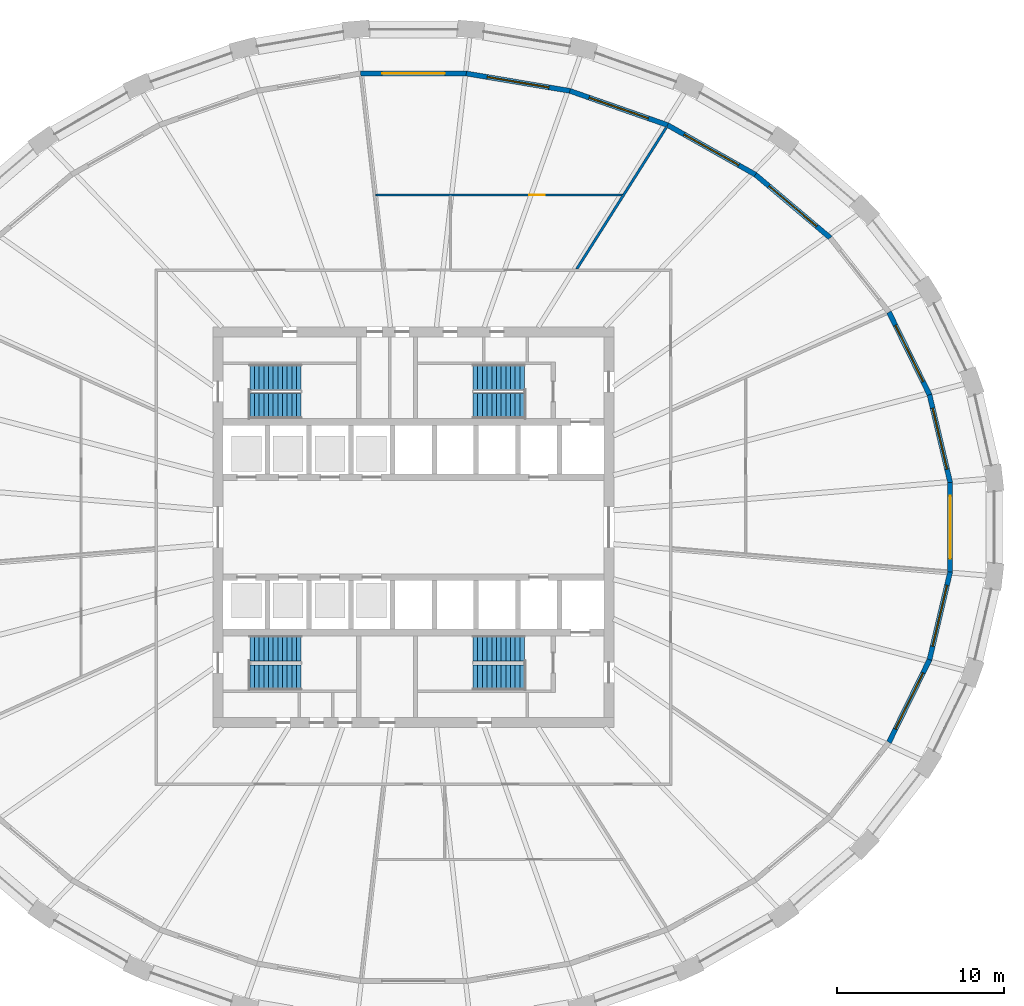
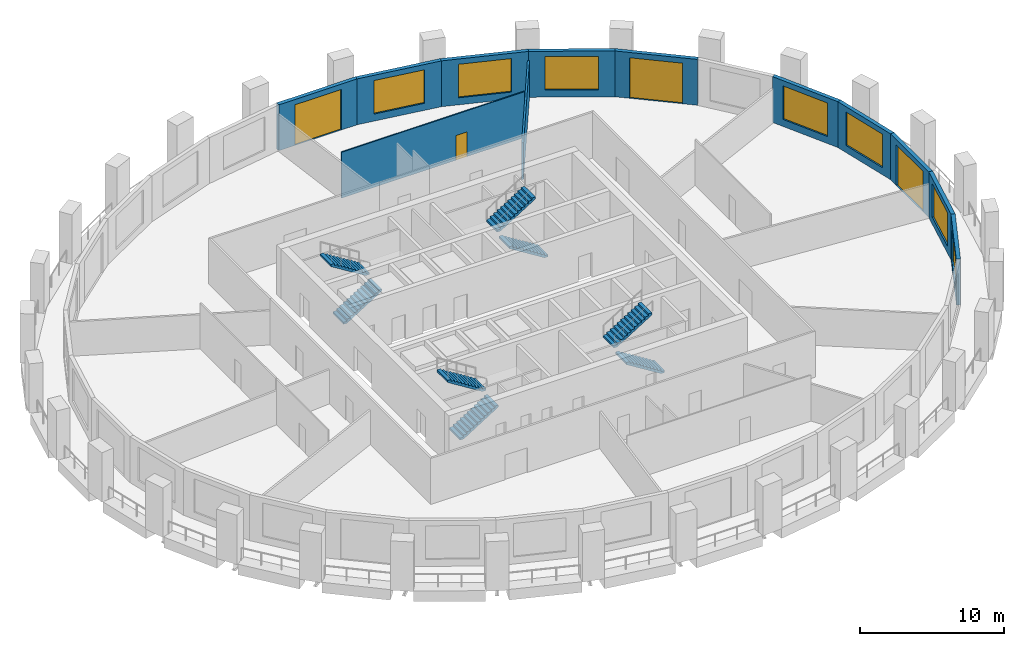
# One storey, part 7 of 10: 12 walls, 8 stair flights, 7 windows, 4 doors, 11 openings, 4 elements without a shape of their own.
"""IFC4 building model written with IfcOpenShell, lengths in metres."""

import ifcopenshell
import ifcopenshell.guid

model = None  # the IFC model being written
_history = None  # IfcOwnerHistory: only IFC2X3 demands one
_inside = {}  # id of a spatial element -> (the spatial element, [elements in it])
_under = {}  # id of a project, library or spatial element -> (it, [spatial elements below it])
_declared = {}  # id of a project -> (the project, [libraries it declares])
_typed = {}  # id of a type object -> (the type object, [elements of that type])
_made_of = {}  # id of a material, layer set ... -> (it, [elements and type objects made of it])


def new_model(schema):
    """Start an empty IFC model of exactly this schema.

    Asked for "IFC4X3", IfcOpenShell would pick the latest addendum, in which some entities
    have other attributes; the version numbers below select the first issue.
    IFC2X3 requires an IfcOwnerHistory on every rooted entity: one is made here for all.
    """
    global model, _history
    if schema == "IFC4X3":
        model = ifcopenshell.file(schema_version=(4, 3, 0, 0))
    else:
        model = ifcopenshell.file(schema=schema)
    _inside.clear()
    _under.clear()
    _declared.clear()
    _typed.clear()
    _made_of.clear()
    _history = None
    if model.schema == "IFC2X3":
        org = make("IfcOrganization", Name="unknown")
        user = make(
            "IfcPersonAndOrganization",
            ThePerson=make("IfcPerson", FamilyName="unknown"),
            TheOrganization=org,
        )
        app = make(
            "IfcApplication",
            ApplicationDeveloper=org,
            Version="unknown",
            ApplicationFullName="unknown",
            ApplicationIdentifier="unknown",
        )
        _history = make(
            "IfcOwnerHistory",
            OwningUser=user,
            OwningApplication=app,
            ChangeAction="ADDED",
            CreationDate=0,
        )
    return model


def make(cls, **values):
    """One entity of the class cls with the attributes given. An attribute that is None is left unset."""
    return model.create_entity(
        cls, **{name: value for name, value in values.items() if value is not None}
    )


def rooted(cls, **values):
    """An entity with a GlobalId (a new one), such as an element, a storey or a relation."""
    return make(cls, GlobalId=ifcopenshell.guid.new(), OwnerHistory=_history, **values)


def si_unit(unit_type, name, prefix=None):
    """IfcSIUnit, for example si_unit("LENGTHUNIT", "METRE", prefix="MILLI")."""
    return make("IfcSIUnit", UnitType=unit_type, Prefix=prefix, Name=name)


def assignment(units):
    """IfcUnitAssignment: the units of a project."""
    return None if units is None else make("IfcUnitAssignment", Units=units)


def point(xyz):
    """IfcCartesianPoint."""
    return None if xyz is None else make("IfcCartesianPoint", Coordinates=xyz)


def direction(xyz):
    """IfcDirection."""
    return None if xyz is None else make("IfcDirection", DirectionRatios=xyz)


def frame(location, z_axis=None, x_axis=None):
    """IfcAxis2Placement3D, a coordinate frame: its origin and axes. An axis left out is left unset."""
    return make(
        "IfcAxis2Placement3D",
        Location=point(location),
        Axis=direction(z_axis),
        RefDirection=direction(x_axis),
    )


def frame_2d(location, x_axis=None):
    """IfcAxis2Placement2D, a coordinate frame in the plane: its origin and x axis."""
    return make(
        "IfcAxis2Placement2D", Location=point(location), RefDirection=direction(x_axis)
    )


def origin():
    """The frame at (0, 0, 0) with its axes left unset."""
    return frame((0.0, 0.0, 0.0))


def place(relative_to, where):
    """IfcLocalPlacement: puts the frame where relative to a parent placement (None: the world)."""
    return make(
        "IfcLocalPlacement", PlacementRelTo=relative_to, RelativePlacement=where
    )


def context(
    kind, dimensions, precision=None, world=None, true_north=None, identifier=None
):
    """IfcGeometricRepresentationContext, for example the 3D "Model" context."""
    return make(
        "IfcGeometricRepresentationContext",
        ContextIdentifier=identifier,
        ContextType=kind,
        CoordinateSpaceDimension=dimensions,
        Precision=precision,
        WorldCoordinateSystem=world,
        TrueNorth=true_north,
    )


def subcontext(parent, identifier, kind, view, scale=None):
    """IfcGeometricRepresentationSubContext, for example "Body" below "Model"."""
    return make(
        "IfcGeometricRepresentationSubContext",
        ContextIdentifier=identifier,
        ContextType=kind,
        ParentContext=parent,
        TargetScale=scale,
        TargetView=view,
    )


def project(units=None, contexts=None):
    """IfcProject with its units and contexts."""
    return rooted(
        "IfcProject",
        Name="project",
        RepresentationContexts=contexts,
        UnitsInContext=assignment(units),
    )


def spatial(cls, under=None, at=None, **own):
    """A site, building, storey or space (cls), placed at a placement, below another one or the project."""
    s = rooted(cls, ObjectPlacement=at, **own)
    if under is not None:
        _under.setdefault(under.id(), (under, []))[1].append(s)
    return s


def polyline(points):
    """IfcPolyline through the points."""
    return make("IfcPolyline", Points=[point(p) for p in points])


def profile(cls, at=None, kind="AREA", **sizes):
    """A parametric profile (cls). Its sizes go by their IFC names, for example OverallWidth=200.0."""
    return make(cls, ProfileType=kind, Position=at, **sizes)


def rectangle(**sizes):
    """IfcRectangleProfileDef."""
    return profile("IfcRectangleProfileDef", **sizes)


def outline(outer, holes=None, kind="AREA"):
    """IfcArbitraryClosedProfileDef: a profile drawn as a closed curve; with holes, ...WithVoids."""
    if holes is None:
        return make("IfcArbitraryClosedProfileDef", ProfileType=kind, OuterCurve=outer)
    return make(
        "IfcArbitraryProfileDefWithVoids",
        ProfileType=kind,
        OuterCurve=outer,
        InnerCurves=holes,
    )


def extrude(swept, where, along, depth):
    """IfcExtrudedAreaSolid: the profile swept, set in the frame where, extruded along a direction by depth."""
    return make(
        "IfcExtrudedAreaSolid",
        SweptArea=swept,
        Position=where,
        ExtrudedDirection=direction(along),
        Depth=depth,
    )


def shape(context_of_items, identifier, shape_type, items):
    """IfcShapeRepresentation: the items that make up one representation, for example the "Body"."""
    return make(
        "IfcShapeRepresentation",
        ContextOfItems=context_of_items,
        RepresentationIdentifier=identifier,
        RepresentationType=shape_type,
        Items=items,
    )


def material(Name=None, Category=None):
    """IfcMaterial."""
    return make("IfcMaterial", Name=Name, Category=Category)


def layer(
    of_material, thickness, ventilated=None, Name=None, Category=None, Priority=None
):
    """IfcMaterialLayer: one layer of a wall or slab, of a material (None: an air gap)."""
    return make(
        "IfcMaterialLayer",
        Material=of_material,
        LayerThickness=thickness,
        IsVentilated=ventilated,
        Name=Name,
        Category=Category,
        Priority=Priority,
    )


def layer_set(layers, Name=None):
    """IfcMaterialLayerSet."""
    return make("IfcMaterialLayerSet", MaterialLayers=layers, LayerSetName=Name)


def made_of(thing, what):
    """Note that an element or type object is made of a material, layer set ...; save() writes the relation."""
    if what is not None:
        _made_of.setdefault(what.id(), (what, []))[1].append(thing)
    return thing


def type_object(cls, material=None, **own):
    """A type object (cls), such as IfcWallType, which elements share."""
    return made_of(rooted(cls, **own), material)


def element(
    cls,
    number,
    at=None,
    inside=None,
    cuts=None,
    type_object=None,
    material=None,
    context=None,
    identifier="Body",
    shape_type=None,
    held_by="IfcProductDefinitionShape",
    body=None,
    shapes=None,
    **own,
):
    """One element of the class cls, such as IfcWall. Its Tag is "e" and its number.

    at: its placement. inside: the storey or other place that contains it. cuts: it is an
    opening in that element (IfcRelVoidsElement). A single representation is given by context,
    identifier, shape_type and body (its items); several are given by shapes. held_by: the class
    of the entity that holds the representations. save() writes the other relations.
    """
    e = rooted(cls, Tag="e%d" % number, ObjectPlacement=at, **own)
    if body is not None:
        shapes = [shape(context, identifier, shape_type, body)]
    if shapes is not None:
        e.Representation = make(held_by, Representations=shapes)
    if inside is not None:
        _inside.setdefault(inside.id(), (inside, []))[1].append(e)
    if cuts is not None:
        rooted(
            "IfcRelVoidsElement", RelatingBuildingElement=cuts, RelatedOpeningElement=e
        )
    if type_object is not None:
        _typed.setdefault(type_object.id(), (type_object, []))[1].append(e)
    return made_of(e, material)


def fill(opening, filler):
    """IfcRelFillsElement: the door or window that sits in an opening."""
    return rooted(
        "IfcRelFillsElement",
        RelatingOpeningElement=opening,
        RelatedBuildingElement=filler,
    )


def aggregate(whole, parts):
    """IfcRelAggregates: a whole, such as a stair, and the parts it consists of."""
    return rooted("IfcRelAggregates", RelatingObject=whole, RelatedObjects=parts)


def save(model, path):
    """Write the relations noted so far, then the file.

    IfcRelAggregates (storeys below a building ...), IfcRelContainedInSpatialStructure (elements
    in a storey), IfcRelDefinesByType, IfcRelAssociatesMaterial and IfcRelDeclares: one each for
    every whole, place, type object, material and project.
    """
    for whole, parts in _under.values():
        aggregate(whole, parts)
    for where, things in _inside.values():
        rooted(
            "IfcRelContainedInSpatialStructure",
            RelatedElements=things,
            RelatingStructure=where,
        )
    for kind, things in _typed.values():
        rooted("IfcRelDefinesByType", RelatedObjects=things, RelatingType=kind)
    for what, things in _made_of.values():
        rooted("IfcRelAssociatesMaterial", RelatedObjects=things, RelatingMaterial=what)
    for by, libraries in _declared.values():
        rooted("IfcRelDeclares", RelatingContext=by, RelatedDefinitions=libraries)
    model.write(path)


model = new_model("IFC4")

# Units and contexts
model_context = context("Model", 3, precision=1e-05, world=origin(), true_north=direction((0.0, 1.0)))
body_context = subcontext(model_context, "Body", "Model", "MODEL_VIEW")
ifc_project = project(units=[si_unit("LENGTHUNIT", "METRE"), si_unit("AREAUNIT", "SQUARE_METRE"), si_unit("VOLUMEUNIT", "CUBIC_METRE"), si_unit("PLANEANGLEUNIT", "RADIAN"), si_unit("MASSUNIT", "GRAM", prefix="KILO")], contexts=[model_context])

# Site, building, storey
site_placement = place(None, origin())
site = spatial("IfcSite", under=ifc_project, at=site_placement, CompositionType="ELEMENT")
building_placement = place(site_placement, origin())
building = spatial("IfcBuilding", under=site, at=building_placement, Name="Halqa Exchange Tower", CompositionType="ELEMENT")
storey_placement = place(building_placement, frame((0.0, 0.0, 117.10009765625)))
storey = spatial("IfcBuildingStorey", under=building, at=storey_placement, Name="L26", CompositionType="ELEMENT", Elevation=117.10009765625)

# Wall
ifc_material_1 = material(Name="Fire-rated gypsum board")
ifc_layer_1 = layer(ifc_material_1, 0.14990234375)
ifc_layer_set_1 = layer_set([ifc_layer_1], Name="Fire-rated gypsum board")
wall_type_1 = type_object("IfcWallType", Name="Fire partition EI 60 150", PredefinedType="PARTITIONING", material=ifc_layer_set_1)
wall_1_placement = place(storey_placement, frame((9.76220703125, 15.43505859375, 0.0), z_axis=(0.0, 0.0, 1.0), x_axis=(0.534830284385, 0.844959506074, 0.0)))
element("IfcWall", 1, at=wall_1_placement, inside=storey, type_object=wall_type_1, Name="L26-PWL-019", PredefinedType="PARTITIONING", context=body_context, shape_type="SweptSolid", body=[
    extrude(outline(polyline([(10.056884765625, 0.074951171875), (8.4697265625, 0.074951171875), (6.882568359375, 0.074951171875), (5.29541015625, 0.074951171875), (5.211181640625, 0.021728515625), (5.177490234375, 0.074951171875), (3.45166015625, 0.074951171875), (1.725830078125, 0.074951171875), (0.0, 0.074951171875), (0.0, 0.07470703125), (0.0947265625, -0.074951171875), (2.087158203125, -0.074951171875), (4.07958984375, -0.074951171875), (6.072021484375, -0.074951171875), (8.064453125, -0.074951171875), (10.056884765625, -0.074951171875), (10.056884765625, 0.074951171875)])), origin(), (0.0, 0.0, 1.0), 3.14697265625),
])

# Wall, opening, door
ifc_material_2 = material(Name="Gypsum board")
ifc_layer_2 = layer(ifc_material_2, 0.10009765625)
ifc_layer_set_2 = layer_set([ifc_layer_2], Name="Gypsum board")
wall_type_2 = type_object("IfcWallType", Name="Partition 100 gypsum", PredefinedType="PARTITIONING", material=ifc_layer_set_2)
wall_2_placement = place(storey_placement, frame((-2.2548828125, 19.89990234375, 0.0), z_axis=(0.0, 0.0, 1.0), x_axis=(1.0, 0.0, 0.0)))
wall_2 = element("IfcWall", 2, at=wall_2_placement, inside=storey, type_object=wall_type_2, Name="L26-PWL-013", PredefinedType="PARTITIONING", context=body_context, shape_type="SweptSolid", body=[
    extrude(outline(polyline([(0.011474609375, -0.050048828125), (1.479248046875, -0.050048828125), (2.947021484375, -0.050048828125), (4.414794921875, -0.050048828125), (4.414794921875, -0.0498046875), (4.514892578125, -0.0498046875), (4.514892578125, -0.050048828125), (6.21630859375, -0.050048828125), (7.91748046875, -0.050048828125), (9.618896484375, -0.050048828125), (11.320068359375, -0.050048828125), (13.021484375, -0.050048828125), (14.72265625, -0.050048828125), (14.77490234375, 0.032470703125), (14.77490234375, 0.0322265625), (14.785888671875, 0.0498046875), (14.785888671875, 0.050048828125), (12.937744140625, 0.050048828125), (11.08935546875, 0.050048828125), (9.2412109375, 0.050048828125), (7.39306640625, 0.050048828125), (5.544677734375, 0.050048828125), (3.696533203125, 0.050048828125), (1.84814453125, 0.050048828125), (0.0, 0.050048828125), (0.0, 0.048095703125), (0.011474609375, -0.050048828125)])), origin(), (0.0, 0.0, 1.0), 3.89990234375),
])
opening_1_placement = place(wall_2_placement, frame((9.205078125, 0.0, 0.0)))
opening_1 = element("IfcOpeningElement", 3, at=opening_1_placement, cuts=wall_2, Name="Opening 08-14", PredefinedType="OPENING", context=body_context, shape_type="SweptSolid", body=[
    extrude(rectangle(XDim=0.89990234375, YDim=2.10009765625, at=frame_2d((0.449951171875, 1.050048828125))), frame((0.0, 0.06201171875, 0.0), z_axis=(0.0, -1.0, 0.0), x_axis=(1.0, 0.0, 0.0)), (0.0, 0.0, 1.0), 0.1240234375),
])
ifc_material_3 = material(Name="Timber door leaf", Category="wood")
door_type_1 = type_object("IfcDoorType", Name="Door 900 x 2100", OperationType="SINGLE_SWING_LEFT", PredefinedType="DOOR", material=ifc_material_3)
door_1_placement = place(opening_1_placement, frame((0.89990234375, 0.0, 0.0), z_axis=(0.0, 0.0, 1.0), x_axis=(-1.0, 0.0, 0.0)))
door_1 = element("IfcDoor", 4, at=door_1_placement, inside=storey, type_object=door_type_1, Name="L26-IDR-014", OperationType="SINGLE_SWING_RIGHT", OverallHeight=2.10009765625, OverallWidth=0.89990234375, PredefinedType="DOOR", context=body_context, shape_type="SweptSolid", body=[
    extrude(rectangle(XDim=0.89990234375, YDim=2.10009765625, at=frame_2d((0.449951171875, 1.050048828125))), frame((0.0, 0.02490234375, 0.0), z_axis=(0.0, -1.0, 0.0), x_axis=(1.0, 0.0, 0.0)), (0.0, 0.0, 1.0), 0.050048828125),
])
fill(opening_1, door_1)

# Wall, opening, window
ifc_material_4 = material(Name="Limestone cladding", Category="masonry")
ifc_layer_3 = layer(ifc_material_4, 0.0400390625)
ifc_material_5 = material(Name="Ventilated cavity")
ifc_layer_4 = layer(ifc_material_5, 0.030029296875, ventilated=True)
ifc_material_6 = material(Name="Mineral wool insulation")
ifc_layer_5 = layer(ifc_material_6, 0.10009765625)
ifc_material_7 = material(Name="Concrete C30/37", Category="concrete")
ifc_layer_6 = layer(ifc_material_7, 0.10009765625)
ifc_material_8 = material(Name="Internal plaster")
ifc_layer_7 = layer(ifc_material_8, 0.030029296875)
ifc_layer_set_3 = layer_set([ifc_layer_3, ifc_layer_4, ifc_layer_5, ifc_layer_6, ifc_layer_7], Name="Stone-faced insulated wall 300")
wall_type_3 = type_object("IfcWallType", Name="Stone-faced insulated wall 300", PredefinedType="STANDARD", material=ifc_layer_set_3)
wall_3_placement = place(storey_placement, frame((32.142578125, 2.678955078125, 0.0), z_axis=(0.0, 0.0, 1.0), x_axis=(-0.229200658045, 0.973379195561, 0.0)))
wall_3 = element("IfcWall", 5, at=wall_3_placement, inside=storey, type_object=wall_type_3, Name="Glass-line wall 1", PredefinedType="STANDARD", context=body_context, shape_type="SweptSolid", body=[
    extrude(outline(polyline([(-0.017333984375, -0.14990234375), (5.415283203125, -0.14990234375), (5.381591796875, 0.14990234375), (0.017333984375, 0.14990234375), (-0.017333984375, -0.14990234375)])), origin(), (0.0, 0.0, 1.0), 3.89990234375),
])
opening_2_placement = place(wall_3_placement, frame((0.82421875, 0.0, 0.60009765625)))
opening_2 = element("IfcOpeningElement", 6, at=opening_2_placement, cuts=wall_3, Name="Opening W-F2-01", PredefinedType="OPENING", context=body_context, shape_type="SweptSolid", body=[
    extrude(rectangle(XDim=3.75, YDim=2.85009765625, at=frame_2d((1.875, 1.425048828125))), frame((0.0, 0.162109375, 0.0), z_axis=(0.0, -1.0, 0.0), x_axis=(1.0, 0.0, 0.0)), (0.0, 0.0, 1.0), 0.323974609375),
])
ifc_material_9 = material(Name="Clear low-emissivity glass in aluminium frame", Category="aluminium")
window_type = type_object("IfcWindowType", Name="Fixed clear glazed window 3750 x 2850", PartitioningType="TRIPLE_PANEL_VERTICAL", PredefinedType="WINDOW", material=ifc_material_9)
window_1_placement = place(opening_2_placement, origin())
window_1 = element("IfcWindow", 7, at=window_1_placement, inside=storey, type_object=window_type, Name="Window 2", OverallHeight=2.85009765625, OverallWidth=3.75, PartitioningType="TRIPLE_PANEL_VERTICAL", PredefinedType="WINDOW", context=body_context, shape_type="SweptSolid", body=[
    extrude(rectangle(XDim=3.75, YDim=2.85009765625, at=frame_2d((1.875, 1.425048828125))), frame((0.0, 0.030029296875, 0.0), z_axis=(0.0, -1.0, 0.0), x_axis=(1.0, 0.0, 0.0)), (0.0, 0.0, 1.0), 0.06005859375),
])
fill(opening_2, window_1)

wall_4_placement = place(storey_placement, frame((30.9052734375, 7.93359375, 0.0), z_axis=(0.0, 0.0, 1.0), x_axis=(-0.440306401535, 0.897847577692, 0.0)))
wall_4 = element("IfcWall", 8, at=wall_4_placement, inside=storey, type_object=wall_type_3, Name="Glass-line wall 2", PredefinedType="STANDARD", context=body_context, shape_type="SweptSolid", body=[
    extrude(outline(polyline([(-0.016845703125, -0.14990234375), (5.526611328125, -0.14990234375), (5.494384765625, 0.14990234375), (0.016845703125, 0.14990234375), (-0.016845703125, -0.14990234375)])), origin(), (0.0, 0.0, 1.0), 3.89990234375),
])
opening_3_placement = place(wall_4_placement, frame((0.880126953125, 0.0, 0.60009765625)))
opening_3 = element("IfcOpeningElement", 9, at=opening_3_placement, cuts=wall_4, Name="Opening W-F2-02", PredefinedType="OPENING", context=body_context, shape_type="SweptSolid", body=[
    extrude(rectangle(XDim=3.75, YDim=2.85009765625, at=frame_2d((1.875, 1.425048828125))), frame((0.0, 0.162109375, 0.0), z_axis=(0.0, -1.0, 0.0), x_axis=(1.0, 0.0, 0.0)), (0.0, 0.0, 1.0), 0.323974609375),
])
window_2_placement = place(opening_3_placement, origin())
window_2 = element("IfcWindow", 10, at=window_2_placement, inside=storey, type_object=window_type, Name="Window 2", OverallHeight=2.85009765625, OverallWidth=3.75, PartitioningType="TRIPLE_PANEL_VERTICAL", PredefinedType="WINDOW", context=body_context, shape_type="SweptSolid", body=[
    extrude(rectangle(XDim=3.75, YDim=2.85009765625, at=frame_2d((1.875, 1.425048828125))), frame((0.0, 0.030029296875, 0.0), z_axis=(0.0, -1.0, 0.0), x_axis=(1.0, 0.0, 0.0)), (0.0, 0.0, 1.0), 0.06005859375),
])
fill(opening_3, window_2)

# Wall, opening, door
wall_5_placement = place(storey_placement, frame((24.95849609375, 17.331787109375, 0.0), z_axis=(0.0, 0.0, 1.0), x_axis=(-0.763937302001, 0.645290476151, 0.0)))
wall_5 = element("IfcWall", 11, at=wall_5_placement, inside=storey, type_object=wall_type_3, Name="Glass-line wall 4", PredefinedType="STANDARD", context=body_context, shape_type="SweptSolid", body=[
    extrude(outline(polyline([(-0.01513671875, -0.14990234375), (5.87646484375, -0.14990234375), (5.84814453125, 0.14990234375), (0.01513671875, 0.14990234375), (-0.01513671875, -0.14990234375)])), origin(), (0.0, 0.0, 1.0), 3.89990234375),
])
opening_4_placement = place(wall_5_placement, frame((1.05615234375, 0.0, 0.0)))
opening_4 = element("IfcOpeningElement", 12, at=opening_4_placement, cuts=wall_5, Name="Opening LG-F2-01", PredefinedType="OPENING", context=body_context, shape_type="SweptSolid", body=[
    extrude(rectangle(XDim=3.75, YDim=3.449951171875, at=frame_2d((1.875, 1.72509765625))), frame((0.0, 0.162109375, 0.0), z_axis=(0.0, -1.0, 0.0), x_axis=(1.0, 0.0, 0.0)), (0.0, 0.0, 1.0), 0.323974609375),
])
door_type_2 = type_object("IfcDoorType", Name="Glazed sliding loggia door 3750 x 3450", OperationType="DOUBLE_DOOR_SLIDING", PredefinedType="DOOR", material=ifc_material_9)
door_2_placement = place(opening_4_placement, origin())
door_2 = element("IfcDoor", 13, at=door_2_placement, inside=storey, type_object=door_type_2, Name="Loggia door 1", OperationType="DOUBLE_DOOR_SLIDING", OverallHeight=3.449951171875, OverallWidth=3.75, PredefinedType="DOOR", context=body_context, shape_type="SweptSolid", body=[
    extrude(rectangle(XDim=3.75, YDim=3.449951171875, at=frame_2d((1.875, 1.72509765625))), frame((0.0, 0.02490234375, 0.0), z_axis=(0.0, -1.0, 0.0), x_axis=(1.0, 0.0, 0.0)), (0.0, 0.0, 1.0), 0.050048828125),
])
fill(opening_4, door_2)

# Wall, opening, window
wall_6_placement = place(storey_placement, frame((20.47998046875, 21.11474609375, 0.0), z_axis=(0.0, 0.0, 1.0), x_axis=(-0.870858332497, 0.491534093142, 0.0)))
wall_6 = element("IfcWall", 14, at=wall_6_placement, inside=storey, type_object=wall_type_3, Name="Glass-line wall 5", PredefinedType="STANDARD", context=body_context, shape_type="SweptSolid", body=[
    extrude(outline(polyline([(-0.01416015625, -0.14990234375), (6.0576171875, -0.14990234375), (6.03076171875, 0.14990234375), (0.01416015625, 0.14990234375), (-0.01416015625, -0.14990234375)])), origin(), (0.0, 0.0, 1.0), 3.89990234375),
])
opening_5_placement = place(wall_6_placement, frame((1.147216796875, 0.0, 0.60009765625)))
opening_5 = element("IfcOpeningElement", 15, at=opening_5_placement, cuts=wall_6, Name="Opening W-F2-05", PredefinedType="OPENING", context=body_context, shape_type="SweptSolid", body=[
    extrude(rectangle(XDim=3.75, YDim=2.85009765625, at=frame_2d((1.875, 1.425048828125))), frame((0.0, 0.162109375, 0.0), z_axis=(0.0, -1.0, 0.0), x_axis=(1.0, 0.0, 0.0)), (0.0, 0.0, 1.0), 0.323974609375),
])
window_3_placement = place(opening_5_placement, origin())
window_3 = element("IfcWindow", 16, at=window_3_placement, inside=storey, type_object=window_type, Name="Window 2", OverallHeight=2.85009765625, OverallWidth=3.75, PartitioningType="TRIPLE_PANEL_VERTICAL", PredefinedType="WINDOW", context=body_context, shape_type="SweptSolid", body=[
    extrude(rectangle(XDim=3.75, YDim=2.85009765625, at=frame_2d((1.875, 1.425048828125))), frame((0.0, 0.030029296875, 0.0), z_axis=(0.0, -1.0, 0.0), x_axis=(1.0, 0.0, 0.0)), (0.0, 0.0, 1.0), 0.06005859375),
])
fill(opening_5, window_3)

wall_7_placement = place(storey_placement, frame((15.21630859375, 24.085693359375, 0.0), z_axis=(0.0, 0.0, 1.0), x_axis=(-0.94389706045, 0.330239820849, 0.0)))
wall_7 = element("IfcWall", 17, at=wall_7_placement, inside=storey, type_object=wall_type_3, Name="Glass-line wall 6", PredefinedType="STANDARD", context=body_context, shape_type="SweptSolid", body=[
    extrude(outline(polyline([(-0.013427734375, -0.14990234375), (6.20703125, -0.14990234375), (6.181640625, 0.14990234375), (0.013427734375, 0.14990234375), (-0.013427734375, -0.14990234375)])), origin(), (0.0, 0.0, 1.0), 3.89990234375),
])
opening_6_placement = place(wall_7_placement, frame((1.22216796875, 0.0, 0.60009765625)))
opening_6 = element("IfcOpeningElement", 18, at=opening_6_placement, cuts=wall_7, Name="Opening W-F2-06", PredefinedType="OPENING", context=body_context, shape_type="SweptSolid", body=[
    extrude(rectangle(XDim=3.75, YDim=2.85009765625, at=frame_2d((1.875, 1.425048828125))), frame((0.0, 0.162109375, 0.0), z_axis=(0.0, -1.0, 0.0), x_axis=(1.0, 0.0, 0.0)), (0.0, 0.0, 1.0), 0.323974609375),
])
window_4_placement = place(opening_6_placement, origin())
window_4 = element("IfcWindow", 19, at=window_4_placement, inside=storey, type_object=window_type, Name="Window 2", OverallHeight=2.85009765625, OverallWidth=3.75, PartitioningType="TRIPLE_PANEL_VERTICAL", PredefinedType="WINDOW", context=body_context, shape_type="SweptSolid", body=[
    extrude(rectangle(XDim=3.75, YDim=2.85009765625, at=frame_2d((1.875, 1.425048828125))), frame((0.0, 0.030029296875, 0.0), z_axis=(0.0, -1.0, 0.0), x_axis=(1.0, 0.0, 0.0)), (0.0, 0.0, 1.0), 0.06005859375),
])
fill(opening_6, window_4)

wall_8_placement = place(storey_placement, frame((9.369384765625, 26.13134765625, 0.0), z_axis=(0.0, 0.0, 1.0), x_axis=(-0.986176011722, 0.165701158427, 0.0)))
wall_8 = element("IfcWall", 20, at=wall_8_placement, inside=storey, type_object=wall_type_3, Name="Glass-line wall 7", PredefinedType="STANDARD", context=body_context, shape_type="SweptSolid", body=[
    extrude(outline(polyline([(-0.0126953125, -0.14990234375), (6.30517578125, -0.14990234375), (6.2802734375, 0.14990234375), (0.0126953125, 0.14990234375), (-0.0126953125, -0.14990234375)])), origin(), (0.0, 0.0, 1.0), 3.89990234375),
])
opening_7_placement = place(wall_8_placement, frame((1.271484375, 0.0, 0.60009765625)))
opening_7 = element("IfcOpeningElement", 21, at=opening_7_placement, cuts=wall_8, Name="Opening W-F2-07", PredefinedType="OPENING", context=body_context, shape_type="SweptSolid", body=[
    extrude(rectangle(XDim=3.75, YDim=2.85009765625, at=frame_2d((1.875, 1.425048828125))), frame((0.0, 0.162109375, 0.0), z_axis=(0.0, -1.0, 0.0), x_axis=(1.0, 0.0, 0.0)), (0.0, 0.0, 1.0), 0.323974609375),
])
window_5_placement = place(opening_7_placement, origin())
window_5 = element("IfcWindow", 22, at=window_5_placement, inside=storey, type_object=window_type, Name="Window 2", OverallHeight=2.85009765625, OverallWidth=3.75, PartitioningType="TRIPLE_PANEL_VERTICAL", PredefinedType="WINDOW", context=body_context, shape_type="SweptSolid", body=[
    extrude(rectangle(XDim=3.75, YDim=2.85009765625, at=frame_2d((1.875, 1.425048828125))), frame((0.0, 0.030029296875, 0.0), z_axis=(0.0, -1.0, 0.0), x_axis=(1.0, 0.0, 0.0)), (0.0, 0.0, 1.0), 0.06005859375),
])
fill(opening_7, window_5)

# Wall, opening, door
wall_9_placement = place(storey_placement, frame((3.16357421875, 27.174072265625, 0.0), z_axis=(0.0, 0.0, 1.0), x_axis=(-1.0, 0.0, 0.0)))
wall_9 = element("IfcWall", 23, at=wall_9_placement, inside=storey, type_object=wall_type_3, Name="Glass-line wall 8", PredefinedType="STANDARD", context=body_context, shape_type="SweptSolid", body=[
    extrude(outline(polyline([(-0.012451171875, -0.14990234375), (6.339599609375, -0.14990234375), (6.314697265625, 0.14990234375), (0.012451171875, 0.14990234375), (-0.012451171875, -0.14990234375)])), origin(), (0.0, 0.0, 1.0), 3.89990234375),
])
opening_8_placement = place(wall_9_placement, frame((1.28857421875, 0.0, 0.0)))
opening_8 = element("IfcOpeningElement", 24, at=opening_8_placement, cuts=wall_9, Name="Opening LG-F2-02", PredefinedType="OPENING", context=body_context, shape_type="SweptSolid", body=[
    extrude(rectangle(XDim=3.75, YDim=3.449951171875, at=frame_2d((1.875, 1.72509765625))), frame((0.0, 0.162109375, 0.0), z_axis=(0.0, -1.0, 0.0), x_axis=(1.0, 0.0, 0.0)), (0.0, 0.0, 1.0), 0.323974609375),
])
door_3_placement = place(opening_8_placement, origin())
door_3 = element("IfcDoor", 25, at=door_3_placement, inside=storey, type_object=door_type_2, Name="Loggia door 2", OperationType="DOUBLE_DOOR_SLIDING", OverallHeight=3.449951171875, OverallWidth=3.75, PredefinedType="DOOR", context=body_context, shape_type="SweptSolid", body=[
    extrude(rectangle(XDim=3.75, YDim=3.449951171875, at=frame_2d((1.875, 1.72509765625))), frame((0.0, 0.02490234375, 0.0), z_axis=(0.0, -1.0, 0.0), x_axis=(1.0, 0.0, 0.0)), (0.0, 0.0, 1.0), 0.050048828125),
])
fill(opening_8, door_3)

# Wall, opening, window
wall_10_placement = place(storey_placement, frame((28.47900390625, -12.881103515625, 0.0), z_axis=(0.0, 0.0, 1.0), x_axis=(0.440306401535, 0.897847577692, 0.0)))
wall_10 = element("IfcWall", 26, at=wall_10_placement, inside=storey, type_object=wall_type_3, Name="Glass-line wall 30", PredefinedType="STANDARD", context=body_context, shape_type="SweptSolid", body=[
    extrude(outline(polyline([(-0.01611328125, -0.14990234375), (5.52734375, -0.14990234375), (5.49365234375, 0.14990234375), (0.01611328125, 0.14990234375), (-0.01611328125, -0.14990234375)])), origin(), (0.0, 0.0, 1.0), 3.89990234375),
])
opening_9_placement = place(wall_10_placement, frame((0.880126953125, 0.0, 0.60009765625)))
opening_9 = element("IfcOpeningElement", 27, at=opening_9_placement, cuts=wall_10, Name="Opening W-F2-30", PredefinedType="OPENING", context=body_context, shape_type="SweptSolid", body=[
    extrude(rectangle(XDim=3.75, YDim=2.85009765625, at=frame_2d((1.875, 1.425048828125))), frame((0.0, 0.162109375, 0.0), z_axis=(0.0, -1.0, 0.0), x_axis=(1.0, 0.0, 0.0)), (0.0, 0.0, 1.0), 0.323974609375),
])
window_6_placement = place(opening_9_placement, origin())
window_6 = element("IfcWindow", 28, at=window_6_placement, inside=storey, type_object=window_type, Name="Window 2", OverallHeight=2.85009765625, OverallWidth=3.75, PartitioningType="TRIPLE_PANEL_VERTICAL", PredefinedType="WINDOW", context=body_context, shape_type="SweptSolid", body=[
    extrude(rectangle(XDim=3.75, YDim=2.85009765625, at=frame_2d((1.875, 1.425048828125))), frame((0.0, 0.030029296875, 0.0), z_axis=(0.0, -1.0, 0.0), x_axis=(1.0, 0.0, 0.0)), (0.0, 0.0, 1.0), 0.06005859375),
])
fill(opening_9, window_6)

wall_11_placement = place(storey_placement, frame((30.9052734375, -7.93359375, 0.0), z_axis=(0.0, 0.0, 1.0), x_axis=(0.229200658045, 0.973379195561, 0.0)))
wall_11 = element("IfcWall", 29, at=wall_11_placement, inside=storey, type_object=wall_type_3, Name="Glass-line wall 31", PredefinedType="STANDARD", context=body_context, shape_type="SweptSolid", body=[
    extrude(outline(polyline([(-0.016845703125, -0.14990234375), (5.415771484375, -0.14990234375), (5.381103515625, 0.14990234375), (0.016845703125, 0.14990234375), (-0.016845703125, -0.14990234375)])), origin(), (0.0, 0.0, 1.0), 3.89990234375),
])
opening_10_placement = place(wall_11_placement, frame((0.82421875, 0.0, 0.60009765625)))
opening_10 = element("IfcOpeningElement", 30, at=opening_10_placement, cuts=wall_11, Name="Opening W-F2-31", PredefinedType="OPENING", context=body_context, shape_type="SweptSolid", body=[
    extrude(rectangle(XDim=3.75, YDim=2.85009765625, at=frame_2d((1.875, 1.425048828125))), frame((0.0, 0.162109375, 0.0), z_axis=(0.0, -1.0, 0.0), x_axis=(1.0, 0.0, 0.0)), (0.0, 0.0, 1.0), 0.323974609375),
])
window_7_placement = place(opening_10_placement, origin())
window_7 = element("IfcWindow", 31, at=window_7_placement, inside=storey, type_object=window_type, Name="Window 2", OverallHeight=2.85009765625, OverallWidth=3.75, PartitioningType="TRIPLE_PANEL_VERTICAL", PredefinedType="WINDOW", context=body_context, shape_type="SweptSolid", body=[
    extrude(rectangle(XDim=3.75, YDim=2.85009765625, at=frame_2d((1.875, 1.425048828125))), frame((0.0, 0.030029296875, 0.0), z_axis=(0.0, -1.0, 0.0), x_axis=(1.0, 0.0, 0.0)), (0.0, 0.0, 1.0), 0.06005859375),
])
fill(opening_10, window_7)

# Wall, opening, door
wall_12_placement = place(storey_placement, frame((32.142578125, -2.678955078125, 0.0), z_axis=(0.0, 0.0, 1.0), x_axis=(0.0, 1.0, 0.0)))
wall_12 = element("IfcWall", 32, at=wall_12_placement, inside=storey, type_object=wall_type_3, Name="Glass-line wall 32", PredefinedType="STANDARD", context=body_context, shape_type="SweptSolid", body=[
    extrude(outline(polyline([(-0.017333984375, -0.14990234375), (5.375244140625, -0.14990234375), (5.340576171875, 0.14990234375), (0.017333984375, 0.14990234375), (-0.017333984375, -0.14990234375)])), origin(), (0.0, 0.0, 1.0), 3.89990234375),
])
opening_11_placement = place(wall_12_placement, frame((0.803955078125, 0.0, 0.0)))
opening_11 = element("IfcOpeningElement", 33, at=opening_11_placement, cuts=wall_12, Name="Opening LG-F2-08", PredefinedType="OPENING", context=body_context, shape_type="SweptSolid", body=[
    extrude(rectangle(XDim=3.75, YDim=3.449951171875, at=frame_2d((1.875, 1.72509765625))), frame((0.0, 0.162109375, 0.0), z_axis=(0.0, -1.0, 0.0), x_axis=(1.0, 0.0, 0.0)), (0.0, 0.0, 1.0), 0.323974609375),
])
door_4_placement = place(opening_11_placement, origin())
door_4 = element("IfcDoor", 34, at=door_4_placement, inside=storey, type_object=door_type_2, Name="Loggia door 8", OperationType="DOUBLE_DOOR_SLIDING", OverallHeight=3.449951171875, OverallWidth=3.75, PredefinedType="DOOR", context=body_context, shape_type="SweptSolid", body=[
    extrude(rectangle(XDim=3.75, YDim=3.449951171875, at=frame_2d((1.875, 1.72509765625))), frame((0.0, 0.02490234375, 0.0), z_axis=(0.0, -1.0, 0.0), x_axis=(1.0, 0.0, 0.0)), (0.0, 0.0, 1.0), 0.050048828125),
])
fill(opening_11, door_4)

# Stair, stair flights
stair_type = type_object("IfcStairType", Name="Exit stair 1500 wide", PredefinedType="HALF_TURN_STAIR", material=ifc_material_7)
stair_1_placement = place(storey_placement, origin())
stair_1 = element("IfcStair", 35, at=stair_1_placement, inside=storey, type_object=stair_type, Name="Exit stair ST1", PredefinedType="HALF_TURN_STAIR")
stair_flight_type = type_object("IfcStairFlightType", Name="Stair flight 1500 wide", PredefinedType="STRAIGHT", material=ifc_material_7)
stair_flight_1_placement = place(storey_placement, frame((-9.800048828125, 7.25, 0.0), z_axis=(0.0, 0.0, 1.0), x_axis=(1.0, 0.0, 0.0)))
stair_flight_1 = element("IfcStairFlight", 36, at=stair_flight_1_placement, type_object=stair_flight_type, Name="ST1 flight 1", NumberOfRisers=12, NumberOfTreads=11, PredefinedType="STRAIGHT", RiserHeight=0.175, TreadLength=0.28, context=body_context, shape_type="SweptSolid", body=[
    extrude(outline(polyline([(0.0, 0.0), (0.0, 0.175048828125), (0.280029296875, 0.175048828125), (0.280029296875, 0.35009765625), (0.56005859375, 0.35009765625), (0.56005859375, 0.52490234375), (0.840087890625, 0.52490234375), (0.840087890625, 0.699951171875), (1.1201171875, 0.699951171875), (1.1201171875, 0.875), (1.39990234375, 0.875), (1.39990234375, 1.050048828125), (1.679931640625, 1.050048828125), (1.679931640625, 1.22509765625), (1.9599609375, 1.22509765625), (1.9599609375, 1.39990234375), (2.239990234375, 1.39990234375), (2.239990234375, 1.574951171875), (2.52001953125, 1.574951171875), (2.52001953125, 1.75), (2.800048828125, 1.75), (2.800048828125, 1.925048828125), (3.080078125, 1.925048828125), (3.080078125, 2.10009765625), (3.080078125, 1.748291015625), (0.28271484375, 0.0), (0.0, 0.0)])), frame((0.0, 0.75, 0.0), z_axis=(0.0, -1.0, 0.0), x_axis=(1.0, 0.0, 0.0)), (0.0, 0.0, 1.0), 1.5),
])
stair_flight_2_placement = place(storey_placement, frame((-6.719970703125, 9.0, 2.099853515625), z_axis=(0.0, 0.0, 1.0), x_axis=(-1.0, 0.0, 0.0)))
stair_flight_2 = element("IfcStairFlight", 37, at=stair_flight_2_placement, type_object=stair_flight_type, Name="ST1 flight 2", NumberOfRisers=12, NumberOfTreads=11, PredefinedType="STRAIGHT", RiserHeight=0.175, TreadLength=0.28, context=body_context, shape_type="SweptSolid", body=[
    extrude(outline(polyline([(0.0, 0.0), (0.0, 0.175048828125), (0.280029296875, 0.175048828125), (0.280029296875, 0.35009765625), (0.56005859375, 0.35009765625), (0.56005859375, 0.52490234375), (0.840087890625, 0.52490234375), (0.840087890625, 0.699951171875), (1.1201171875, 0.699951171875), (1.1201171875, 0.875), (1.39990234375, 0.875), (1.39990234375, 1.050048828125), (1.679931640625, 1.050048828125), (1.679931640625, 1.22509765625), (1.9599609375, 1.22509765625), (1.9599609375, 1.39990234375), (2.239990234375, 1.39990234375), (2.239990234375, 1.574951171875), (2.52001953125, 1.574951171875), (2.52001953125, 1.75), (2.800048828125, 1.75), (2.800048828125, 1.925048828125), (3.080078125, 1.925048828125), (3.080078125, 2.10009765625), (3.080078125, 1.748291015625), (0.28271484375, 0.0), (0.0, 0.0)])), frame((0.0, 0.75, 0.0), z_axis=(0.0, -1.0, 0.0), x_axis=(1.0, 0.0, 0.0)), (0.0, 0.0, 1.0), 1.5),
])
aggregate(stair_1, [stair_flight_1, stair_flight_2])

stair_2_placement = place(storey_placement, origin())
stair_2 = element("IfcStair", 38, at=stair_2_placement, inside=storey, type_object=stair_type, Name="Exit stair ST2", PredefinedType="HALF_TURN_STAIR")
stair_flight_3_placement = place(storey_placement, frame((6.64990234375, 7.25, 0.0), z_axis=(0.0, 0.0, 1.0), x_axis=(-1.0, 0.0, 0.0)))
stair_flight_3 = element("IfcStairFlight", 39, at=stair_flight_3_placement, type_object=stair_flight_type, Name="ST2 flight 1", NumberOfRisers=12, NumberOfTreads=11, PredefinedType="STRAIGHT", RiserHeight=0.175, TreadLength=0.28, context=body_context, shape_type="SweptSolid", body=[
    extrude(outline(polyline([(0.0, 0.0), (0.0, 0.175048828125), (0.280029296875, 0.175048828125), (0.280029296875, 0.35009765625), (0.56005859375, 0.35009765625), (0.56005859375, 0.52490234375), (0.840087890625, 0.52490234375), (0.840087890625, 0.699951171875), (1.1201171875, 0.699951171875), (1.1201171875, 0.875), (1.39990234375, 0.875), (1.39990234375, 1.050048828125), (1.679931640625, 1.050048828125), (1.679931640625, 1.22509765625), (1.9599609375, 1.22509765625), (1.9599609375, 1.39990234375), (2.239990234375, 1.39990234375), (2.239990234375, 1.574951171875), (2.52001953125, 1.574951171875), (2.52001953125, 1.75), (2.800048828125, 1.75), (2.800048828125, 1.925048828125), (3.080078125, 1.925048828125), (3.080078125, 2.10009765625), (3.080078125, 1.748291015625), (0.28271484375, 0.0), (0.0, 0.0)])), frame((0.0, 0.75, 0.0), z_axis=(0.0, -1.0, 0.0), x_axis=(1.0, 0.0, 0.0)), (0.0, 0.0, 1.0), 1.5),
])
stair_flight_4_placement = place(storey_placement, frame((3.570068359375, 9.0, 2.099853515625), z_axis=(0.0, 0.0, 1.0), x_axis=(1.0, 0.0, 0.0)))
stair_flight_4 = element("IfcStairFlight", 40, at=stair_flight_4_placement, type_object=stair_flight_type, Name="ST2 flight 2", NumberOfRisers=12, NumberOfTreads=11, PredefinedType="STRAIGHT", RiserHeight=0.175, TreadLength=0.28, context=body_context, shape_type="SweptSolid", body=[
    extrude(outline(polyline([(0.0, 0.0), (0.0, 0.175048828125), (0.280029296875, 0.175048828125), (0.280029296875, 0.35009765625), (0.56005859375, 0.35009765625), (0.56005859375, 0.52490234375), (0.840087890625, 0.52490234375), (0.840087890625, 0.699951171875), (1.1201171875, 0.699951171875), (1.1201171875, 0.875), (1.39990234375, 0.875), (1.39990234375, 1.050048828125), (1.679931640625, 1.050048828125), (1.679931640625, 1.22509765625), (1.9599609375, 1.22509765625), (1.9599609375, 1.39990234375), (2.239990234375, 1.39990234375), (2.239990234375, 1.574951171875), (2.52001953125, 1.574951171875), (2.52001953125, 1.75), (2.800048828125, 1.75), (2.800048828125, 1.925048828125), (3.080078125, 1.925048828125), (3.080078125, 2.10009765625), (3.080078125, 1.748291015625), (0.28271484375, 0.0), (0.0, 0.0)])), frame((0.0, 0.75, 0.0), z_axis=(0.0, -1.0, 0.0), x_axis=(1.0, 0.0, 0.0)), (0.0, 0.0, 1.0), 1.5),
])
aggregate(stair_2, [stair_flight_3, stair_flight_4])

stair_3_placement = place(storey_placement, origin())
stair_3 = element("IfcStair", 41, at=stair_3_placement, inside=storey, type_object=stair_type, Name="Exit stair ST3", PredefinedType="HALF_TURN_STAIR")
stair_flight_5_placement = place(storey_placement, frame((-9.800048828125, -9.0, 0.0), z_axis=(0.0, 0.0, 1.0), x_axis=(1.0, 0.0, 0.0)))
stair_flight_5 = element("IfcStairFlight", 42, at=stair_flight_5_placement, type_object=stair_flight_type, Name="ST3 flight 1", NumberOfRisers=12, NumberOfTreads=11, PredefinedType="STRAIGHT", RiserHeight=0.175, TreadLength=0.28, context=body_context, shape_type="SweptSolid", body=[
    extrude(outline(polyline([(0.0, 0.0), (0.0, 0.175048828125), (0.280029296875, 0.175048828125), (0.280029296875, 0.35009765625), (0.56005859375, 0.35009765625), (0.56005859375, 0.52490234375), (0.840087890625, 0.52490234375), (0.840087890625, 0.699951171875), (1.1201171875, 0.699951171875), (1.1201171875, 0.875), (1.39990234375, 0.875), (1.39990234375, 1.050048828125), (1.679931640625, 1.050048828125), (1.679931640625, 1.22509765625), (1.9599609375, 1.22509765625), (1.9599609375, 1.39990234375), (2.239990234375, 1.39990234375), (2.239990234375, 1.574951171875), (2.52001953125, 1.574951171875), (2.52001953125, 1.75), (2.800048828125, 1.75), (2.800048828125, 1.925048828125), (3.080078125, 1.925048828125), (3.080078125, 2.10009765625), (3.080078125, 1.748291015625), (0.28271484375, 0.0), (0.0, 0.0)])), frame((0.0, 0.75, 0.0), z_axis=(0.0, -1.0, 0.0), x_axis=(1.0, 0.0, 0.0)), (0.0, 0.0, 1.0), 1.5),
])
stair_flight_6_placement = place(storey_placement, frame((-6.719970703125, -7.25, 2.099853515625), z_axis=(0.0, 0.0, 1.0), x_axis=(-1.0, 0.0, 0.0)))
stair_flight_6 = element("IfcStairFlight", 43, at=stair_flight_6_placement, type_object=stair_flight_type, Name="ST3 flight 2", NumberOfRisers=12, NumberOfTreads=11, PredefinedType="STRAIGHT", RiserHeight=0.175, TreadLength=0.28, context=body_context, shape_type="SweptSolid", body=[
    extrude(outline(polyline([(0.0, 0.0), (0.0, 0.175048828125), (0.280029296875, 0.175048828125), (0.280029296875, 0.35009765625), (0.56005859375, 0.35009765625), (0.56005859375, 0.52490234375), (0.840087890625, 0.52490234375), (0.840087890625, 0.699951171875), (1.1201171875, 0.699951171875), (1.1201171875, 0.875), (1.39990234375, 0.875), (1.39990234375, 1.050048828125), (1.679931640625, 1.050048828125), (1.679931640625, 1.22509765625), (1.9599609375, 1.22509765625), (1.9599609375, 1.39990234375), (2.239990234375, 1.39990234375), (2.239990234375, 1.574951171875), (2.52001953125, 1.574951171875), (2.52001953125, 1.75), (2.800048828125, 1.75), (2.800048828125, 1.925048828125), (3.080078125, 1.925048828125), (3.080078125, 2.10009765625), (3.080078125, 1.748291015625), (0.28271484375, 0.0), (0.0, 0.0)])), frame((0.0, 0.75, 0.0), z_axis=(0.0, -1.0, 0.0), x_axis=(1.0, 0.0, 0.0)), (0.0, 0.0, 1.0), 1.5),
])
aggregate(stair_3, [stair_flight_5, stair_flight_6])

stair_4_placement = place(storey_placement, origin())
stair_4 = element("IfcStair", 44, at=stair_4_placement, inside=storey, type_object=stair_type, Name="Exit stair ST4", PredefinedType="HALF_TURN_STAIR")
stair_flight_7_placement = place(storey_placement, frame((6.64990234375, -9.0, 0.0), z_axis=(0.0, 0.0, 1.0), x_axis=(-1.0, 0.0, 0.0)))
stair_flight_7 = element("IfcStairFlight", 45, at=stair_flight_7_placement, type_object=stair_flight_type, Name="ST4 flight 1", NumberOfRisers=12, NumberOfTreads=11, PredefinedType="STRAIGHT", RiserHeight=0.175, TreadLength=0.28, context=body_context, shape_type="SweptSolid", body=[
    extrude(outline(polyline([(0.0, 0.0), (0.0, 0.175048828125), (0.280029296875, 0.175048828125), (0.280029296875, 0.35009765625), (0.56005859375, 0.35009765625), (0.56005859375, 0.52490234375), (0.840087890625, 0.52490234375), (0.840087890625, 0.699951171875), (1.1201171875, 0.699951171875), (1.1201171875, 0.875), (1.39990234375, 0.875), (1.39990234375, 1.050048828125), (1.679931640625, 1.050048828125), (1.679931640625, 1.22509765625), (1.9599609375, 1.22509765625), (1.9599609375, 1.39990234375), (2.239990234375, 1.39990234375), (2.239990234375, 1.574951171875), (2.52001953125, 1.574951171875), (2.52001953125, 1.75), (2.800048828125, 1.75), (2.800048828125, 1.925048828125), (3.080078125, 1.925048828125), (3.080078125, 2.10009765625), (3.080078125, 1.748291015625), (0.28271484375, 0.0), (0.0, 0.0)])), frame((0.0, 0.75, 0.0), z_axis=(0.0, -1.0, 0.0), x_axis=(1.0, 0.0, 0.0)), (0.0, 0.0, 1.0), 1.5),
])
stair_flight_8_placement = place(storey_placement, frame((3.570068359375, -7.25, 2.099853515625), z_axis=(0.0, 0.0, 1.0), x_axis=(1.0, 0.0, 0.0)))
stair_flight_8 = element("IfcStairFlight", 46, at=stair_flight_8_placement, type_object=stair_flight_type, Name="ST4 flight 2", NumberOfRisers=12, NumberOfTreads=11, PredefinedType="STRAIGHT", RiserHeight=0.175, TreadLength=0.28, context=body_context, shape_type="SweptSolid", body=[
    extrude(outline(polyline([(0.0, 0.0), (0.0, 0.175048828125), (0.280029296875, 0.175048828125), (0.280029296875, 0.35009765625), (0.56005859375, 0.35009765625), (0.56005859375, 0.52490234375), (0.840087890625, 0.52490234375), (0.840087890625, 0.699951171875), (1.1201171875, 0.699951171875), (1.1201171875, 0.875), (1.39990234375, 0.875), (1.39990234375, 1.050048828125), (1.679931640625, 1.050048828125), (1.679931640625, 1.22509765625), (1.9599609375, 1.22509765625), (1.9599609375, 1.39990234375), (2.239990234375, 1.39990234375), (2.239990234375, 1.574951171875), (2.52001953125, 1.574951171875), (2.52001953125, 1.75), (2.800048828125, 1.75), (2.800048828125, 1.925048828125), (3.080078125, 1.925048828125), (3.080078125, 2.10009765625), (3.080078125, 1.748291015625), (0.28271484375, 0.0), (0.0, 0.0)])), frame((0.0, 0.75, 0.0), z_axis=(0.0, -1.0, 0.0), x_axis=(1.0, 0.0, 0.0)), (0.0, 0.0, 1.0), 1.5),
])
aggregate(stair_4, [stair_flight_7, stair_flight_8])

save(model, "model.ifc")
